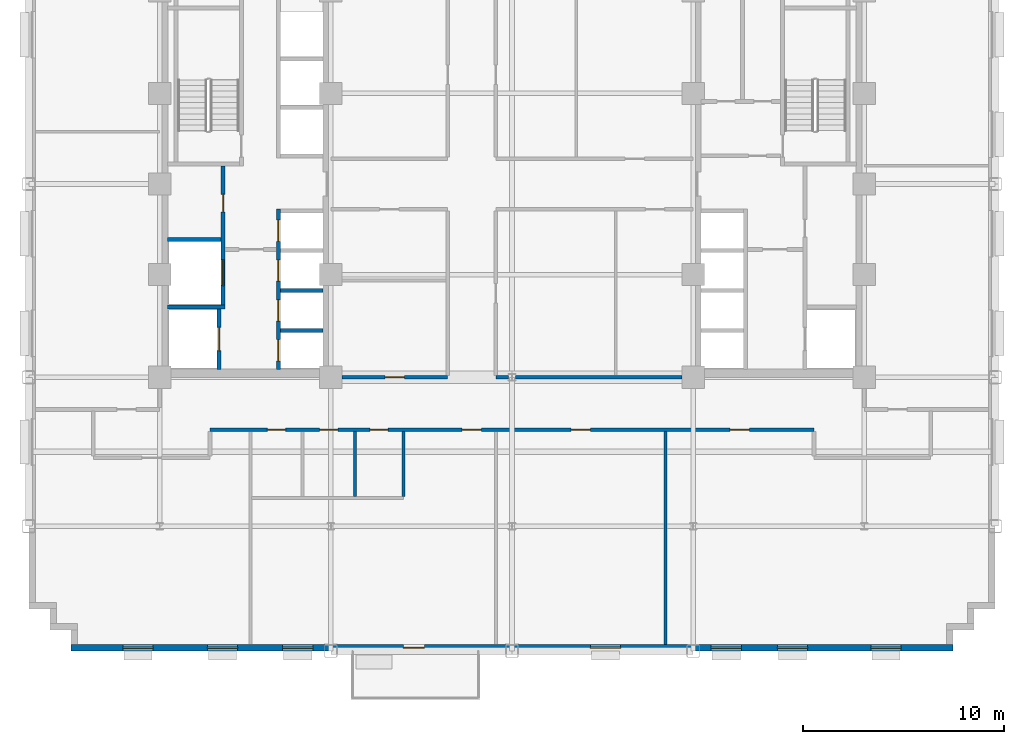
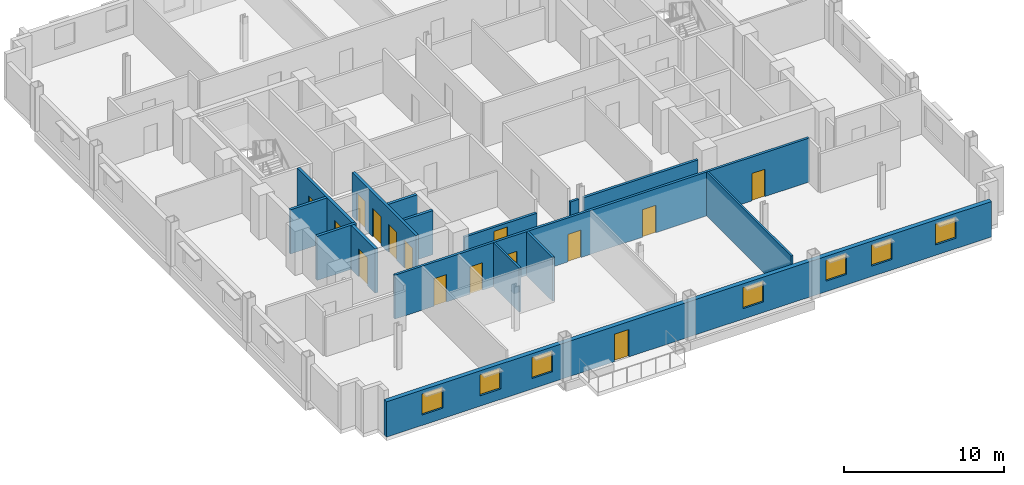
# One storey, part 6 of 14: 15 doors, 15 walls, 7 windows, 22 openings.
"""IFC4 building model written with IfcOpenShell, lengths in metres."""

import ifcopenshell
import ifcopenshell.guid

model = None  # the IFC model being written
_history = None  # IfcOwnerHistory: only IFC2X3 demands one
_inside = {}  # id of a spatial element -> (the spatial element, [elements in it])
_under = {}  # id of a project, library or spatial element -> (it, [spatial elements below it])
_declared = {}  # id of a project -> (the project, [libraries it declares])
_typed = {}  # id of a type object -> (the type object, [elements of that type])
_made_of = {}  # id of a material, layer set ... -> (it, [elements and type objects made of it])


def new_model(schema):
    """Start an empty IFC model of exactly this schema.

    Asked for "IFC4X3", IfcOpenShell would pick the latest addendum, in which some entities
    have other attributes; the version numbers below select the first issue.
    IFC2X3 requires an IfcOwnerHistory on every rooted entity: one is made here for all.
    """
    global model, _history
    if schema == "IFC4X3":
        model = ifcopenshell.file(schema_version=(4, 3, 0, 0))
    else:
        model = ifcopenshell.file(schema=schema)
    _inside.clear()
    _under.clear()
    _declared.clear()
    _typed.clear()
    _made_of.clear()
    _history = None
    if model.schema == "IFC2X3":
        org = make("IfcOrganization", Name="unknown")
        user = make(
            "IfcPersonAndOrganization",
            ThePerson=make("IfcPerson", FamilyName="unknown"),
            TheOrganization=org,
        )
        app = make(
            "IfcApplication",
            ApplicationDeveloper=org,
            Version="unknown",
            ApplicationFullName="unknown",
            ApplicationIdentifier="unknown",
        )
        _history = make(
            "IfcOwnerHistory",
            OwningUser=user,
            OwningApplication=app,
            ChangeAction="ADDED",
            CreationDate=0,
        )
    return model


def make(cls, **values):
    """One entity of the class cls with the attributes given. An attribute that is None is left unset."""
    return model.create_entity(
        cls, **{name: value for name, value in values.items() if value is not None}
    )


def rooted(cls, **values):
    """An entity with a GlobalId (a new one), such as an element, a storey or a relation."""
    return make(cls, GlobalId=ifcopenshell.guid.new(), OwnerHistory=_history, **values)


def si_unit(unit_type, name, prefix=None):
    """IfcSIUnit, for example si_unit("LENGTHUNIT", "METRE", prefix="MILLI")."""
    return make("IfcSIUnit", UnitType=unit_type, Prefix=prefix, Name=name)


def assignment(units):
    """IfcUnitAssignment: the units of a project."""
    return None if units is None else make("IfcUnitAssignment", Units=units)


def point(xyz):
    """IfcCartesianPoint."""
    return None if xyz is None else make("IfcCartesianPoint", Coordinates=xyz)


def direction(xyz):
    """IfcDirection."""
    return None if xyz is None else make("IfcDirection", DirectionRatios=xyz)


def frame(location, z_axis=None, x_axis=None):
    """IfcAxis2Placement3D, a coordinate frame: its origin and axes. An axis left out is left unset."""
    return make(
        "IfcAxis2Placement3D",
        Location=point(location),
        Axis=direction(z_axis),
        RefDirection=direction(x_axis),
    )


def frame_2d(location, x_axis=None):
    """IfcAxis2Placement2D, a coordinate frame in the plane: its origin and x axis."""
    return make(
        "IfcAxis2Placement2D", Location=point(location), RefDirection=direction(x_axis)
    )


def origin():
    """The frame at (0, 0, 0) with its axes left unset."""
    return frame((0.0, 0.0, 0.0))


def place(relative_to, where):
    """IfcLocalPlacement: puts the frame where relative to a parent placement (None: the world)."""
    return make(
        "IfcLocalPlacement", PlacementRelTo=relative_to, RelativePlacement=where
    )


def context(
    kind, dimensions, precision=None, world=None, true_north=None, identifier=None
):
    """IfcGeometricRepresentationContext, for example the 3D "Model" context."""
    return make(
        "IfcGeometricRepresentationContext",
        ContextIdentifier=identifier,
        ContextType=kind,
        CoordinateSpaceDimension=dimensions,
        Precision=precision,
        WorldCoordinateSystem=world,
        TrueNorth=true_north,
    )


def subcontext(parent, identifier, kind, view, scale=None):
    """IfcGeometricRepresentationSubContext, for example "Body" below "Model"."""
    return make(
        "IfcGeometricRepresentationSubContext",
        ContextIdentifier=identifier,
        ContextType=kind,
        ParentContext=parent,
        TargetScale=scale,
        TargetView=view,
    )


def project(units=None, contexts=None):
    """IfcProject with its units and contexts."""
    return rooted(
        "IfcProject",
        Name="project",
        RepresentationContexts=contexts,
        UnitsInContext=assignment(units),
    )


def spatial(cls, under=None, at=None, **own):
    """A site, building, storey or space (cls), placed at a placement, below another one or the project."""
    s = rooted(cls, ObjectPlacement=at, **own)
    if under is not None:
        _under.setdefault(under.id(), (under, []))[1].append(s)
    return s


def profile(cls, at=None, kind="AREA", **sizes):
    """A parametric profile (cls). Its sizes go by their IFC names, for example OverallWidth=200.0."""
    return make(cls, ProfileType=kind, Position=at, **sizes)


def rectangle(**sizes):
    """IfcRectangleProfileDef."""
    return profile("IfcRectangleProfileDef", **sizes)


def extrude(swept, where, along, depth):
    """IfcExtrudedAreaSolid: the profile swept, set in the frame where, extruded along a direction by depth."""
    return make(
        "IfcExtrudedAreaSolid",
        SweptArea=swept,
        Position=where,
        ExtrudedDirection=direction(along),
        Depth=depth,
    )


def shape(context_of_items, identifier, shape_type, items):
    """IfcShapeRepresentation: the items that make up one representation, for example the "Body"."""
    return make(
        "IfcShapeRepresentation",
        ContextOfItems=context_of_items,
        RepresentationIdentifier=identifier,
        RepresentationType=shape_type,
        Items=items,
    )


def source(mapping_origin, context_of_items, identifier, shape_type, items):
    """IfcRepresentationMap: a shape defined once, which mapped items show again and again."""
    return make(
        "IfcRepresentationMap",
        MappingOrigin=mapping_origin,
        MappedRepresentation=shape(context_of_items, identifier, shape_type, items),
    )


def transform(
    local_origin,
    x_axis=None,
    y_axis=None,
    z_axis=None,
    scale=None,
    scale2=None,
    scale3=None,
    uniform=True,
):
    """IfcCartesianTransformationOperator3D, or its non-uniform kind. x_axis, y_axis, z_axis: its Axis1, 2, 3."""
    if uniform:
        return make(
            "IfcCartesianTransformationOperator3D",
            Axis1=direction(x_axis),
            Axis2=direction(y_axis),
            LocalOrigin=point(local_origin),
            Scale=scale,
            Axis3=direction(z_axis),
        )
    return make(
        "IfcCartesianTransformationOperator3DnonUniform",
        Axis1=direction(x_axis),
        Axis2=direction(y_axis),
        LocalOrigin=point(local_origin),
        Scale=scale,
        Axis3=direction(z_axis),
        Scale2=scale2,
        Scale3=scale3,
    )


def mapped(mapping_source, mapping_target):
    """IfcMappedItem: shows the shape of a source again, moved by a transform."""
    return make(
        "IfcMappedItem", MappingSource=mapping_source, MappingTarget=mapping_target
    )


def material(Name=None, Category=None):
    """IfcMaterial."""
    return make("IfcMaterial", Name=Name, Category=Category)


def layer(
    of_material, thickness, ventilated=None, Name=None, Category=None, Priority=None
):
    """IfcMaterialLayer: one layer of a wall or slab, of a material (None: an air gap)."""
    return make(
        "IfcMaterialLayer",
        Material=of_material,
        LayerThickness=thickness,
        IsVentilated=ventilated,
        Name=Name,
        Category=Category,
        Priority=Priority,
    )


def layer_set(layers, Name=None):
    """IfcMaterialLayerSet."""
    return make("IfcMaterialLayerSet", MaterialLayers=layers, LayerSetName=Name)


def made_of(thing, what):
    """Note that an element or type object is made of a material, layer set ...; save() writes the relation."""
    if what is not None:
        _made_of.setdefault(what.id(), (what, []))[1].append(thing)
    return thing


def type_object(cls, material=None, **own):
    """A type object (cls), such as IfcWallType, which elements share."""
    return made_of(rooted(cls, **own), material)


def type_shapes(of_type, sources):
    """Give a type object the sources (RepresentationMaps) that its elements show as mapped items."""
    of_type.RepresentationMaps = sources


def element(
    cls,
    number,
    at=None,
    inside=None,
    cuts=None,
    type_object=None,
    material=None,
    context=None,
    identifier="Body",
    shape_type=None,
    held_by="IfcProductDefinitionShape",
    body=None,
    shapes=None,
    **own,
):
    """One element of the class cls, such as IfcWall. Its Tag is "e" and its number.

    at: its placement. inside: the storey or other place that contains it. cuts: it is an
    opening in that element (IfcRelVoidsElement). A single representation is given by context,
    identifier, shape_type and body (its items); several are given by shapes. held_by: the class
    of the entity that holds the representations. save() writes the other relations.
    """
    e = rooted(cls, Tag="e%d" % number, ObjectPlacement=at, **own)
    if body is not None:
        shapes = [shape(context, identifier, shape_type, body)]
    if shapes is not None:
        e.Representation = make(held_by, Representations=shapes)
    if inside is not None:
        _inside.setdefault(inside.id(), (inside, []))[1].append(e)
    if cuts is not None:
        rooted(
            "IfcRelVoidsElement", RelatingBuildingElement=cuts, RelatedOpeningElement=e
        )
    if type_object is not None:
        _typed.setdefault(type_object.id(), (type_object, []))[1].append(e)
    return made_of(e, material)


def fill(opening, filler):
    """IfcRelFillsElement: the door or window that sits in an opening."""
    return rooted(
        "IfcRelFillsElement",
        RelatingOpeningElement=opening,
        RelatedBuildingElement=filler,
    )


def aggregate(whole, parts):
    """IfcRelAggregates: a whole, such as a stair, and the parts it consists of."""
    return rooted("IfcRelAggregates", RelatingObject=whole, RelatedObjects=parts)


def save(model, path):
    """Write the relations noted so far, then the file.

    IfcRelAggregates (storeys below a building ...), IfcRelContainedInSpatialStructure (elements
    in a storey), IfcRelDefinesByType, IfcRelAssociatesMaterial and IfcRelDeclares: one each for
    every whole, place, type object, material and project.
    """
    for whole, parts in _under.values():
        aggregate(whole, parts)
    for where, things in _inside.values():
        rooted(
            "IfcRelContainedInSpatialStructure",
            RelatedElements=things,
            RelatingStructure=where,
        )
    for kind, things in _typed.values():
        rooted("IfcRelDefinesByType", RelatedObjects=things, RelatingType=kind)
    for what, things in _made_of.values():
        rooted("IfcRelAssociatesMaterial", RelatedObjects=things, RelatingMaterial=what)
    for by, libraries in _declared.values():
        rooted("IfcRelDeclares", RelatingContext=by, RelatedDefinitions=libraries)
    model.write(path)


model = new_model("IFC4")

# Units and contexts
model_context = context("Model", 3, precision=1e-05, world=origin(), true_north=direction((0.0, 1.0)))
body_context = subcontext(model_context, "Body", "Model", "MODEL_VIEW")
ifc_project = project(units=[si_unit("LENGTHUNIT", "METRE"), si_unit("AREAUNIT", "SQUARE_METRE"), si_unit("VOLUMEUNIT", "CUBIC_METRE"), si_unit("PLANEANGLEUNIT", "RADIAN"), si_unit("MASSUNIT", "GRAM", prefix="KILO")], contexts=[model_context])

# Site, building, storey
site_placement = place(None, origin())
site = spatial("IfcSite", under=ifc_project, at=site_placement, CompositionType="ELEMENT")
building_placement = place(site_placement, origin())
building = spatial("IfcBuilding", under=site, at=building_placement, Name="Nuvemarco Arch Tower", CompositionType="ELEMENT")
storey_placement = place(building_placement, frame((0.0, 0.0, 109.25)))
storey = spatial("IfcBuildingStorey", under=building, at=storey_placement, Name="L28", CompositionType="ELEMENT", Elevation=109.25)

# Wall, openings, door, windows
ifc_material_1 = material(Name="Precast concrete C45/55", Category="concrete")
ifc_layer_1 = layer(ifc_material_1, 0.320068359375, Name="EW-MID-320")
ifc_layer_set_1 = layer_set([ifc_layer_1], Name="Precast concrete C45/55")
wall_type_1 = type_object("IfcWallType", Name="EW-MID-320", PredefinedType="STANDARD", material=ifc_layer_set_1)
wall_1_placement = place(storey_placement, frame((-21.89990234375, -23.0400390625, 0.0), z_axis=(0.0, 0.0, 1.0), x_axis=(1.0, 0.0, 0.0)))
wall_1 = element("IfcWall", 1, at=wall_1_placement, inside=storey, type_object=wall_type_1, Name="L28 exterior precast facade wall 1", PredefinedType="STANDARD", context=body_context, shape_type="SweptSolid", body=[
    extrude(rectangle(XDim=43.7998046875, YDim=0.320068359375, at=frame_2d((21.89990234375, 0.0))), origin(), (0.0, 0.0, 1.0), 2.705078125),
])
opening_1_placement = place(wall_1_placement, frame((17.550048828125, 0.0, 0.0), z_axis=(0.0, 0.0, 1.0), x_axis=(-1.0, 0.0, 0.0)))
opening_1 = element("IfcOpeningElement", 2, at=opening_1_placement, cuts=wall_1, Name="Opening ED-5", PredefinedType="OPENING", context=body_context, shape_type="SweptSolid", body=[
    extrude(rectangle(XDim=1.050048828125, YDim=2.10009765625, at=frame_2d((0.52490234375, 1.050048828125))), frame((0.0, 0.169921875, 0.0), z_axis=(0.0, -1.0, 0.0), x_axis=(1.0, 0.0, 0.0)), (0.0, 0.0, 1.0), 0.340087890625),
])
opening_2_placement = place(wall_1_placement, frame((2.572265625, 0.0, 0.800048828125)))
opening_2 = element("IfcOpeningElement", 3, at=opening_2_placement, cuts=wall_1, Name="Opening WN-11", PredefinedType="OPENING", context=body_context, shape_type="SweptSolid", body=[
    extrude(rectangle(XDim=1.5, YDim=1.60009765625, at=frame_2d((0.75, 0.800048828125))), frame((0.0, 0.169921875, 0.0), z_axis=(0.0, -1.0, 0.0), x_axis=(1.0, 0.0, 0.0)), (0.0, 0.0, 1.0), 0.340087890625),
])
opening_3_placement = place(wall_1_placement, frame((6.7666015625, 0.0, 0.800048828125)))
opening_3 = element("IfcOpeningElement", 4, at=opening_3_placement, cuts=wall_1, Name="Opening WN-11", PredefinedType="OPENING", context=body_context, shape_type="SweptSolid", body=[
    extrude(rectangle(XDim=1.5, YDim=1.60009765625, at=frame_2d((0.75, 0.800048828125))), frame((0.0, 0.169921875, 0.0), z_axis=(0.0, -1.0, 0.0), x_axis=(1.0, 0.0, 0.0)), (0.0, 0.0, 1.0), 0.340087890625),
])
opening_4_placement = place(wall_1_placement, frame((10.510986328125, 0.0, 0.800048828125)))
opening_4 = element("IfcOpeningElement", 5, at=opening_4_placement, cuts=wall_1, Name="Opening WN-11", PredefinedType="OPENING", context=body_context, shape_type="SweptSolid", body=[
    extrude(rectangle(XDim=1.5, YDim=1.60009765625, at=frame_2d((0.75, 0.800048828125))), frame((0.0, 0.169921875, 0.0), z_axis=(0.0, -1.0, 0.0), x_axis=(1.0, 0.0, 0.0)), (0.0, 0.0, 1.0), 0.340087890625),
])
opening_5_placement = place(wall_1_placement, frame((25.79443359375, 0.0, 0.800048828125)))
opening_5 = element("IfcOpeningElement", 6, at=opening_5_placement, cuts=wall_1, Name="Opening WN-11", PredefinedType="OPENING", context=body_context, shape_type="SweptSolid", body=[
    extrude(rectangle(XDim=1.5, YDim=1.60009765625, at=frame_2d((0.75, 0.800048828125))), frame((0.0, 0.169921875, 0.0), z_axis=(0.0, -1.0, 0.0), x_axis=(1.0, 0.0, 0.0)), (0.0, 0.0, 1.0), 0.340087890625),
])
opening_6_placement = place(wall_1_placement, frame((31.788818359375, 0.0, 0.800048828125)))
opening_6 = element("IfcOpeningElement", 7, at=opening_6_placement, cuts=wall_1, Name="Opening WN-11", PredefinedType="OPENING", context=body_context, shape_type="SweptSolid", body=[
    extrude(rectangle(XDim=1.5, YDim=1.60009765625, at=frame_2d((0.75, 0.800048828125))), frame((0.0, 0.169921875, 0.0), z_axis=(0.0, -1.0, 0.0), x_axis=(1.0, 0.0, 0.0)), (0.0, 0.0, 1.0), 0.340087890625),
])
opening_7_placement = place(wall_1_placement, frame((35.083251953125, 0.0, 0.800048828125)))
opening_7 = element("IfcOpeningElement", 8, at=opening_7_placement, cuts=wall_1, Name="Opening WN-11", PredefinedType="OPENING", context=body_context, shape_type="SweptSolid", body=[
    extrude(rectangle(XDim=1.5, YDim=1.60009765625, at=frame_2d((0.75, 0.800048828125))), frame((0.0, 0.169921875, 0.0), z_axis=(0.0, -1.0, 0.0), x_axis=(1.0, 0.0, 0.0)), (0.0, 0.0, 1.0), 0.340087890625),
])
opening_8_placement = place(wall_1_placement, frame((39.727783203125, 0.0, 0.800048828125)))
opening_8 = element("IfcOpeningElement", 9, at=opening_8_placement, cuts=wall_1, Name="Opening WN-11", PredefinedType="OPENING", context=body_context, shape_type="SweptSolid", body=[
    extrude(rectangle(XDim=1.5, YDim=1.60009765625, at=frame_2d((0.75, 0.800048828125))), frame((0.0, 0.169921875, 0.0), z_axis=(0.0, -1.0, 0.0), x_axis=(1.0, 0.0, 0.0)), (0.0, 0.0, 1.0), 0.340087890625),
])
ifc_material_2 = material(Name="Anodised bronze and laminated glass", Category="glass")
door_type_1 = type_object("IfcDoorType", Name="DR-EXT-TERR", OperationType="NOTDEFINED", PredefinedType="DOOR", material=ifc_material_2)
shared_shape_1 = source(origin(), body_context, "Body", "SweptSolid", [
    extrude(rectangle(XDim=1.050048828125, YDim=2.10009765625, at=frame_2d((0.52490234375, 1.050048828125))), frame((0.0, 0.02490234375, 0.0), z_axis=(0.0, -1.0, 0.0), x_axis=(1.0, 0.0, 0.0)), (0.0, 0.0, 1.0), 0.050048828125),
])
type_shapes(door_type_1, [shared_shape_1])
door_1_placement = place(opening_1_placement, origin())
door_1 = element("IfcDoor", 10, at=door_1_placement, inside=storey, type_object=door_type_1, Name="L28 spiral terrace access door", OperationType="SINGLE_SWING_LEFT", OverallHeight=2.10009765625, OverallWidth=1.050048828125, PredefinedType="DOOR", context=body_context, shape_type="MappedRepresentation", body=[
    mapped(shared_shape_1, transform((0.0, 0.0, 0.0), scale=1.0)),
])
fill(opening_1, door_1)
ifc_material_3 = material(Name="Insulated solar-control glass", Category="glass")
window_type = type_object("IfcWindowType", Name="WN-STEP-1500x1850", PartitioningType="SINGLE_PANEL", PredefinedType="WINDOW", material=ifc_material_3)
shared_shape_2 = source(origin(), body_context, "Body", "SweptSolid", [
    extrude(rectangle(XDim=1.5, YDim=1.60009765625, at=frame_2d((0.75, 0.800048828125))), frame((0.0, 0.030029296875, 0.0), z_axis=(0.0, -1.0, 0.0), x_axis=(1.0, 0.0, 0.0)), (0.0, 0.0, 1.0), 0.06005859375),
])
type_shapes(window_type, [shared_shape_2])
window_1_placement = place(opening_2_placement, origin())
window_1 = element("IfcWindow", 11, at=window_1_placement, inside=storey, type_object=window_type, Name="L28 punched facade window 1", OverallHeight=1.60009765625, OverallWidth=1.5, PartitioningType="SINGLE_PANEL", PredefinedType="WINDOW", context=body_context, shape_type="MappedRepresentation", body=[
    mapped(shared_shape_2, transform((0.0, 0.0, 0.0), scale=1.0)),
])
fill(opening_2, window_1)
window_2_placement = place(opening_3_placement, origin())
window_2 = element("IfcWindow", 12, at=window_2_placement, inside=storey, type_object=window_type, Name="L28 punched facade window 2", OverallHeight=1.60009765625, OverallWidth=1.5, PartitioningType="SINGLE_PANEL", PredefinedType="WINDOW", context=body_context, shape_type="MappedRepresentation", body=[
    mapped(shared_shape_2, transform((0.0, 0.0, 0.0), scale=1.0)),
])
fill(opening_3, window_2)
window_3_placement = place(opening_4_placement, origin())
window_3 = element("IfcWindow", 13, at=window_3_placement, inside=storey, type_object=window_type, Name="L28 punched facade window 3", OverallHeight=1.60009765625, OverallWidth=1.5, PartitioningType="SINGLE_PANEL", PredefinedType="WINDOW", context=body_context, shape_type="MappedRepresentation", body=[
    mapped(shared_shape_2, transform((0.0, 0.0, 0.0), scale=1.0)),
])
fill(opening_4, window_3)
window_4_placement = place(opening_5_placement, origin())
window_4 = element("IfcWindow", 14, at=window_4_placement, inside=storey, type_object=window_type, Name="L28 punched facade window 6", OverallHeight=1.60009765625, OverallWidth=1.5, PartitioningType="SINGLE_PANEL", PredefinedType="WINDOW", context=body_context, shape_type="MappedRepresentation", body=[
    mapped(shared_shape_2, transform((0.0, 0.0, 0.0), scale=1.0)),
])
fill(opening_5, window_4)
window_5_placement = place(opening_6_placement, origin())
window_5 = element("IfcWindow", 15, at=window_5_placement, inside=storey, type_object=window_type, Name="L28 punched facade window 7", OverallHeight=1.60009765625, OverallWidth=1.5, PartitioningType="SINGLE_PANEL", PredefinedType="WINDOW", context=body_context, shape_type="MappedRepresentation", body=[
    mapped(shared_shape_2, transform((0.0, 0.0, 0.0), scale=1.0)),
])
fill(opening_6, window_5)
window_6_placement = place(opening_7_placement, origin())
window_6 = element("IfcWindow", 16, at=window_6_placement, inside=storey, type_object=window_type, Name="L28 punched facade window 8", OverallHeight=1.60009765625, OverallWidth=1.5, PartitioningType="SINGLE_PANEL", PredefinedType="WINDOW", context=body_context, shape_type="MappedRepresentation", body=[
    mapped(shared_shape_2, transform((0.0, 0.0, 0.0), scale=1.0)),
])
fill(opening_7, window_6)
window_7_placement = place(opening_8_placement, origin())
window_7 = element("IfcWindow", 17, at=window_7_placement, inside=storey, type_object=window_type, Name="L28 punched facade window 9", OverallHeight=1.60009765625, OverallWidth=1.5, PartitioningType="SINGLE_PANEL", PredefinedType="WINDOW", context=body_context, shape_type="MappedRepresentation", body=[
    mapped(shared_shape_2, transform((0.0, 0.0, 0.0), scale=1.0)),
])
fill(opening_8, window_7)

# Wall, openings, doors
ifc_material_4 = material(Name="Fire-rated gypsum drywall partition")
ifc_layer_2 = layer(ifc_material_4, 0.179931640625, Name="WL-CORR-180")
ifc_layer_set_2 = layer_set([ifc_layer_2], Name="Fire-rated gypsum drywall partition")
wall_type_2 = type_object("IfcWallType", Name="WL-CORR-180", PredefinedType="PARTITIONING", material=ifc_layer_set_2)
wall_2_placement = place(storey_placement, frame((-15.0, -12.199951171875, 0.0), z_axis=(0.0, 0.0, 1.0), x_axis=(1.0, 0.0, 0.0)))
wall_2 = element("IfcWall", 18, at=wall_2_placement, inside=storey, type_object=wall_type_2, Name="L28 interior wall IW-L28-004", PredefinedType="PARTITIONING", context=body_context, shape_type="SweptSolid", body=[
    extrude(rectangle(XDim=30.0, YDim=0.179931640625, at=frame_2d((15.0, 0.0))), origin(), (0.0, 0.0, 1.0), 3.360107421875),
])
opening_9_placement = place(wall_2_placement, frame((17.93505859375, 0.0, 0.0)))
opening_9 = element("IfcOpeningElement", 19, at=opening_9_placement, cuts=wall_2, Name="Opening FD-5", PredefinedType="OPENING", context=body_context, shape_type="SweptSolid", body=[
    extrude(rectangle(XDim=0.9599609375, YDim=2.10009765625, at=frame_2d((0.47998046875, 1.050048828125))), frame((0.0, 0.099853515625, 0.0), z_axis=(0.0, -1.0, 0.0), x_axis=(1.0, 0.0, 0.0)), (0.0, 0.0, 1.0), 0.199951171875),
])
opening_10_placement = place(wall_2_placement, frame((25.8349609375, 0.0, 0.0)))
opening_10 = element("IfcOpeningElement", 20, at=opening_10_placement, cuts=wall_2, Name="Opening FD-5", PredefinedType="OPENING", context=body_context, shape_type="SweptSolid", body=[
    extrude(rectangle(XDim=0.9599609375, YDim=2.10009765625, at=frame_2d((0.47998046875, 1.050048828125))), frame((0.0, 0.099853515625, 0.0), z_axis=(0.0, -1.0, 0.0), x_axis=(1.0, 0.0, 0.0)), (0.0, 0.0, 1.0), 0.199951171875),
])
opening_11_placement = place(wall_2_placement, frame((5.449951171875, 0.0, 0.0)))
opening_11 = element("IfcOpeningElement", 21, at=opening_11_placement, cuts=wall_2, Name="Opening ID-3", PredefinedType="OPENING", context=body_context, shape_type="SweptSolid", body=[
    extrude(rectangle(XDim=0.89990234375, YDim=2.10009765625, at=frame_2d((0.449951171875, 1.050048828125))), frame((0.0, 0.099853515625, 0.0), z_axis=(0.0, -1.0, 0.0), x_axis=(1.0, 0.0, 0.0)), (0.0, 0.0, 1.0), 0.199951171875),
])
opening_12_placement = place(wall_2_placement, frame((2.85009765625, 0.0, 0.0)))
opening_12 = element("IfcOpeningElement", 22, at=opening_12_placement, cuts=wall_2, Name="Opening ID-3", PredefinedType="OPENING", context=body_context, shape_type="SweptSolid", body=[
    extrude(rectangle(XDim=0.89990234375, YDim=2.10009765625, at=frame_2d((0.449951171875, 1.050048828125))), frame((0.0, 0.099853515625, 0.0), z_axis=(0.0, -1.0, 0.0), x_axis=(1.0, 0.0, 0.0)), (0.0, 0.0, 1.0), 0.199951171875),
])
opening_13_placement = place(wall_2_placement, frame((12.52001953125, 0.0, 0.0)))
opening_13 = element("IfcOpeningElement", 23, at=opening_13_placement, cuts=wall_2, Name="Opening FD-5", PredefinedType="OPENING", context=body_context, shape_type="SweptSolid", body=[
    extrude(rectangle(XDim=0.9599609375, YDim=2.10009765625, at=frame_2d((0.47998046875, 1.050048828125))), frame((0.0, 0.099853515625, 0.0), z_axis=(0.0, -1.0, 0.0), x_axis=(1.0, 0.0, 0.0)), (0.0, 0.0, 1.0), 0.199951171875),
])
opening_14_placement = place(wall_2_placement, frame((7.949951171875, 0.0, 0.0)))
opening_14 = element("IfcOpeningElement", 24, at=opening_14_placement, cuts=wall_2, Name="Opening ID-3", PredefinedType="OPENING", context=body_context, shape_type="SweptSolid", body=[
    extrude(rectangle(XDim=0.89990234375, YDim=2.10009765625, at=frame_2d((0.449951171875, 1.050048828125))), frame((0.0, 0.099853515625, 0.0), z_axis=(0.0, -1.0, 0.0), x_axis=(1.0, 0.0, 0.0)), (0.0, 0.0, 1.0), 0.199951171875),
])
ifc_material_5 = material(Name="Timber fire door", Category="wood")
door_type_2 = type_object("IfcDoorType", Name="DR-CORR-FD", OperationType="NOTDEFINED", PredefinedType="DOOR", material=ifc_material_5)
shared_shape_3 = source(origin(), body_context, "Body", "SweptSolid", [
    extrude(rectangle(XDim=0.9599609375, YDim=2.10009765625, at=frame_2d((0.47998046875, 1.050048828125))), frame((0.0, 0.02490234375, 0.0), z_axis=(0.0, -1.0, 0.0), x_axis=(1.0, 0.0, 0.0)), (0.0, 0.0, 1.0), 0.050048828125),
])
type_shapes(door_type_2, [shared_shape_3])
door_2_placement = place(opening_9_placement, origin())
door_2 = element("IfcDoor", 25, at=door_2_placement, inside=storey, type_object=door_type_2, Name="L28 door DR-L28-S_3", OperationType="SINGLE_SWING_RIGHT", OverallHeight=2.10009765625, OverallWidth=0.9599609375, PredefinedType="DOOR", context=body_context, shape_type="MappedRepresentation", body=[
    mapped(shared_shape_3, transform((0.0, 0.0, 0.0), scale=1.0)),
])
fill(opening_9, door_2)
door_3_placement = place(opening_10_placement, origin())
door_3 = element("IfcDoor", 26, at=door_3_placement, inside=storey, type_object=door_type_2, Name="L28 door DR-L28-S_4", OperationType="SINGLE_SWING_LEFT", OverallHeight=2.10009765625, OverallWidth=0.9599609375, PredefinedType="DOOR", context=body_context, shape_type="MappedRepresentation", body=[
    mapped(shared_shape_3, transform((0.0, 0.0, 0.0), scale=1.0)),
])
fill(opening_10, door_3)
door_4_placement = place(opening_13_placement, origin())
door_4 = element("IfcDoor", 27, at=door_4_placement, inside=storey, type_object=door_type_2, Name="L28 door DR-L28-S_2", OperationType="SINGLE_SWING_LEFT", OverallHeight=2.10009765625, OverallWidth=0.9599609375, PredefinedType="DOOR", context=body_context, shape_type="MappedRepresentation", body=[
    mapped(shared_shape_3, transform((0.0, 0.0, 0.0), scale=1.0)),
])
fill(opening_13, door_4)
ifc_material_6 = material(Name="Veneered oak timber fire door", Category="wood")
door_type_3 = type_object("IfcDoorType", Name="DR-WC-ACC", OperationType="NOTDEFINED", PredefinedType="DOOR", material=ifc_material_6)
shared_shape_4 = source(origin(), body_context, "Body", "SweptSolid", [
    extrude(rectangle(XDim=0.89990234375, YDim=2.10009765625, at=frame_2d((0.449951171875, 1.050048828125))), frame((0.0, 0.02490234375, 0.0), z_axis=(0.0, -1.0, 0.0), x_axis=(1.0, 0.0, 0.0)), (0.0, 0.0, 1.0), 0.050048828125),
])
type_shapes(door_type_3, [shared_shape_4])
door_5_placement = place(opening_11_placement, origin())
door_5 = element("IfcDoor", 28, at=door_5_placement, inside=storey, type_object=door_type_3, Name="L28 door DR-L28-WC_F", OperationType="SINGLE_SWING_RIGHT", OverallHeight=2.10009765625, OverallWidth=0.89990234375, PredefinedType="DOOR", context=body_context, shape_type="MappedRepresentation", body=[
    mapped(shared_shape_4, transform((0.0, 0.0, 0.0), scale=1.0)),
])
fill(opening_11, door_5)
door_6_placement = place(opening_12_placement, origin())
door_6 = element("IfcDoor", 29, at=door_6_placement, inside=storey, type_object=door_type_3, Name="L28 door DR-L28-WC_M", OperationType="SINGLE_SWING_LEFT", OverallHeight=2.10009765625, OverallWidth=0.89990234375, PredefinedType="DOOR", context=body_context, shape_type="MappedRepresentation", body=[
    mapped(shared_shape_4, transform((0.0, 0.0, 0.0), scale=1.0)),
])
fill(opening_12, door_6)
door_7_placement = place(opening_14_placement, origin())
door_7 = element("IfcDoor", 30, at=door_7_placement, inside=storey, type_object=door_type_3, Name="L28 door DR-L28-WC_ACC", OperationType="SINGLE_SWING_RIGHT", OverallHeight=2.10009765625, OverallWidth=0.89990234375, PredefinedType="DOOR", context=body_context, shape_type="MappedRepresentation", body=[
    mapped(shared_shape_4, transform((0.0, 0.0, 0.0), scale=1.0)),
])
fill(opening_14, door_7)

# Wall, opening, door
wall_3_placement = place(storey_placement, frame((-8.4541015625, -9.60009765625, 0.0), z_axis=(0.0, 0.0, 1.0), x_axis=(1.0, 0.0, 0.0)))
wall_3 = element("IfcWall", 31, at=wall_3_placement, inside=storey, type_object=wall_type_2, Name="L28 interior wall IW-L28-007", PredefinedType="PARTITIONING", context=body_context, shape_type="SweptSolid", body=[
    extrude(rectangle(XDim=5.254150390625, YDim=0.179931640625, at=frame_2d((2.626953125, 0.0))), origin(), (0.0, 0.0, 1.0), 2.405029296875),
])
opening_15_placement = place(wall_3_placement, frame((2.14697265625, 0.0, 0.0)))
opening_15 = element("IfcOpeningElement", 32, at=opening_15_placement, cuts=wall_3, Name="Opening FD-5", PredefinedType="OPENING", context=body_context, shape_type="SweptSolid", body=[
    extrude(rectangle(XDim=0.9599609375, YDim=2.10009765625, at=frame_2d((0.47998046875, 1.050048828125))), frame((0.0, 0.099853515625, 0.0), z_axis=(0.0, -1.0, 0.0), x_axis=(1.0, 0.0, 0.0)), (0.0, 0.0, 1.0), 0.199951171875),
])
door_8_placement = place(opening_15_placement, origin())
door_8 = element("IfcDoor", 33, at=door_8_placement, inside=storey, type_object=door_type_2, Name="L28 door DR-L28-C_SW2", OperationType="SINGLE_SWING_LEFT", OverallHeight=2.10009765625, OverallWidth=0.9599609375, PredefinedType="DOOR", context=body_context, shape_type="MappedRepresentation", body=[
    mapped(shared_shape_3, transform((0.0, 0.0, 0.0), scale=1.0)),
])
fill(opening_15, door_8)

# Walls
wall_4_placement = place(storey_placement, frame((-0.800048828125, -9.60009765625, 0.0), z_axis=(0.0, 0.0, 1.0), x_axis=(1.0, 0.0, 0.0)))
element("IfcWall", 34, at=wall_4_placement, inside=storey, type_object=wall_type_2, Name="L28 interior wall IW-L28-008", PredefinedType="PARTITIONING", context=body_context, shape_type="SweptSolid", body=[
    extrude(rectangle(XDim=0.6240234375, YDim=0.179931640625, at=frame_2d((0.31201171875, 0.0))), origin(), (0.0, 0.0, 1.0), 2.405029296875),
])
wall_5_placement = place(storey_placement, frame((0.176025390625, -9.60009765625, 0.0), z_axis=(0.0, 0.0, 1.0), x_axis=(1.0, 0.0, 0.0)))
element("IfcWall", 35, at=wall_5_placement, inside=storey, type_object=wall_type_2, Name="L28 interior wall IW-L28-009", PredefinedType="PARTITIONING", context=body_context, shape_type="SweptSolid", body=[
    extrude(rectangle(XDim=8.278076171875, YDim=0.179931640625, at=frame_2d((4.13916015625, 0.0))), origin(), (0.0, 0.0, 1.0), 2.405029296875),
])
ifc_material_7 = material(Name="Gypsum plasterboard partition")
ifc_layer_3 = layer(ifc_material_7, 0.139892578125, Name="WL-ROOM-140")
ifc_layer_set_3 = layer_set([ifc_layer_3], Name="Gypsum plasterboard partition")
wall_type_3 = type_object("IfcWallType", Name="WL-ROOM-140", PredefinedType="PARTITIONING", material=ifc_layer_set_3)
wall_6_placement = place(storey_placement, frame((7.6298828125, -22.8798828125, 0.0), z_axis=(0.0, 0.0, 1.0), x_axis=(0.0, 1.0, 0.0)))
element("IfcWall", 36, at=wall_6_placement, inside=storey, type_object=wall_type_3, Name="L28 interior wall IW-L28-046", PredefinedType="PARTITIONING", context=body_context, shape_type="SweptSolid", body=[
    extrude(rectangle(XDim=10.593994140625, YDim=0.139892578125, at=frame_2d((5.296875, 0.0))), origin(), (0.0, 0.0, 1.0), 3.360107421875),
])

# Wall, opening, door
ifc_material_8 = material(Name="Concrete C50/60", Category="concrete")
ifc_layer_4 = layer(ifc_material_8, 0.199951171875, Name="WL-SHAFT-220")
ifc_layer_set_4 = layer_set([ifc_layer_4], Name="Concrete C50/60")
wall_type_4 = type_object("IfcWallType", Name="WL-SHAFT-220", PredefinedType="SHEAR", material=ifc_layer_set_4)
wall_7_placement = place(storey_placement, frame((-14.550048828125, -9.205078125, 0.0), z_axis=(0.0, 0.0, 1.0), x_axis=(0.0, 1.0, 0.0)))
wall_7 = element("IfcWall", 37, at=wall_7_placement, inside=storey, type_object=wall_type_4, Name="L28 structural shaft wall SW-L28-W-SHE", PredefinedType="SHEAR", context=body_context, shape_type="SweptSolid", body=[
    extrude(rectangle(XDim=3.010009765625, YDim=0.199951171875, at=frame_2d((1.5048828125, 0.0))), origin(), (0.0, 0.0, 1.0), 3.3701171875),
])
opening_16_placement = place(wall_7_placement, frame((0.929931640625, 0.0, 0.0)))
opening_16 = element("IfcOpeningElement", 38, at=opening_16_placement, cuts=wall_7, Name="Opening LD-2", PredefinedType="OPENING", context=body_context, shape_type="SweptSolid", body=[
    extrude(rectangle(XDim=1.14990234375, YDim=2.14990234375, at=frame_2d((0.574951171875, 1.074951171875))), frame((0.0, 0.10986328125, 0.0), z_axis=(0.0, -1.0, 0.0), x_axis=(1.0, 0.0, 0.0)), (0.0, 0.0, 1.0), 0.219970703125),
])
ifc_material_9 = material(Name="Stainless steel lift door", Category="steel")
door_type_4 = type_object("IfcDoorType", Name="DR-LIFT-FIRE", OperationType="DOUBLE_DOOR_SLIDING", PredefinedType="DOOR", material=ifc_material_9)
shared_shape_5 = source(origin(), body_context, "Body", "SweptSolid", [
    extrude(rectangle(XDim=1.14990234375, YDim=2.14990234375, at=frame_2d((0.574951171875, 1.074951171875))), frame((0.0, 0.02490234375, 0.0), z_axis=(0.0, -1.0, 0.0), x_axis=(1.0, 0.0, 0.0)), (0.0, 0.0, 1.0), 0.050048828125),
])
type_shapes(door_type_4, [shared_shape_5])
door_9_placement = place(opening_16_placement, origin())
door_9 = element("IfcDoor", 39, at=door_9_placement, inside=storey, type_object=door_type_4, Name="L28 Lift landing sliding door FFL-1", OperationType="DOUBLE_DOOR_SLIDING", OverallHeight=2.14990234375, OverallWidth=1.14990234375, PredefinedType="DOOR", context=body_context, shape_type="MappedRepresentation", body=[
    mapped(shared_shape_5, transform((0.0, 0.0, 0.0), scale=1.0)),
])
fill(opening_16, door_9)

# Wall, openings, doors
wall_8_placement = place(storey_placement, frame((-14.35009765625, -6.199951171875, 0.0), z_axis=(0.0, 0.0, 1.0), x_axis=(0.0, 1.0, 0.0)))
wall_8 = element("IfcWall", 40, at=wall_8_placement, inside=storey, type_object=wall_type_4, Name="L28 structural shaft wall SW-L28-W-SVE", PredefinedType="SHEAR", context=body_context, shape_type="SweptSolid", body=[
    extrude(rectangle(XDim=7.10498046875, YDim=0.199951171875, at=frame_2d((3.552490234375, 0.0))), origin(), (0.0, 0.0, 1.0), 3.3701171875),
])
opening_17_placement = place(wall_8_placement, frame((5.68994140625, 0.0, 0.0), z_axis=(0.0, 0.0, 1.0), x_axis=(-1.0, 0.0, 0.0)))
opening_17 = element("IfcOpeningElement", 41, at=opening_17_placement, cuts=wall_8, Name="Opening FD-4", PredefinedType="OPENING", context=body_context, shape_type="SweptSolid", body=[
    extrude(rectangle(XDim=0.8798828125, YDim=2.10009765625, at=frame_2d((0.43994140625, 1.050048828125))), frame((0.0, 0.10986328125, 0.0), z_axis=(0.0, -1.0, 0.0), x_axis=(1.0, 0.0, 0.0)), (0.0, 0.0, 1.0), 0.219970703125),
])
opening_18_placement = place(wall_8_placement, frame((1.14990234375, 0.0, 0.0)))
opening_18 = element("IfcOpeningElement", 42, at=opening_18_placement, cuts=wall_8, Name="Opening LD-3", PredefinedType="OPENING", context=body_context, shape_type="SweptSolid", body=[
    extrude(rectangle(XDim=1.300048828125, YDim=2.199951171875, at=frame_2d((0.64990234375, 1.10009765625))), frame((0.0, 0.10986328125, 0.0), z_axis=(0.0, -1.0, 0.0), x_axis=(1.0, 0.0, 0.0)), (0.0, 0.0, 1.0), 0.219970703125),
])
ifc_material_10 = material(Name="Anodised steel fire door", Category="steel")
door_type_5 = type_object("IfcDoorType", Name="DR-RISER-FD", OperationType="NOTDEFINED", PredefinedType="DOOR", material=ifc_material_10)
shared_shape_6 = source(origin(), body_context, "Body", "SweptSolid", [
    extrude(rectangle(XDim=0.8798828125, YDim=2.10009765625, at=frame_2d((0.43994140625, 1.050048828125))), frame((0.0, 0.02490234375, 0.0), z_axis=(0.0, -1.0, 0.0), x_axis=(1.0, 0.0, 0.0)), (0.0, 0.0, 1.0), 0.050048828125),
])
type_shapes(door_type_5, [shared_shape_6])
door_10_placement = place(opening_17_placement, origin())
door_10 = element("IfcDoor", 43, at=door_10_placement, inside=storey, type_object=door_type_5, Name="L28 door FD-L28-WRIS", OperationType="SINGLE_SWING_LEFT", OverallHeight=2.10009765625, OverallWidth=0.8798828125, PredefinedType="DOOR", context=body_context, shape_type="MappedRepresentation", body=[
    mapped(shared_shape_6, transform((0.0, 0.0, 0.0), scale=1.0)),
])
fill(opening_17, door_10)
door_type_6 = type_object("IfcDoorType", Name="DR-LIFT-SERV", OperationType="DOUBLE_DOOR_SLIDING", PredefinedType="DOOR", material=ifc_material_9)
shared_shape_7 = source(origin(), body_context, "Body", "SweptSolid", [
    extrude(rectangle(XDim=1.300048828125, YDim=2.199951171875, at=frame_2d((0.64990234375, 1.10009765625))), frame((0.0, 0.02490234375, 0.0), z_axis=(0.0, -1.0, 0.0), x_axis=(1.0, 0.0, 0.0)), (0.0, 0.0, 1.0), 0.050048828125),
])
type_shapes(door_type_6, [shared_shape_7])
door_11_placement = place(opening_18_placement, origin())
door_11 = element("IfcDoor", 44, at=door_11_placement, inside=storey, type_object=door_type_6, Name="L28 Lift landing sliding door SVL-1", OperationType="DOUBLE_DOOR_SLIDING", OverallHeight=2.199951171875, OverallWidth=1.300048828125, PredefinedType="DOOR", context=body_context, shape_type="MappedRepresentation", body=[
    mapped(shared_shape_7, transform((0.0, 0.0, 0.0), scale=1.0)),
])
fill(opening_18, door_11)

# Walls
wall_9_placement = place(storey_placement, frame((-17.10498046875, -6.10009765625, 0.0), z_axis=(0.0, 0.0, 1.0), x_axis=(1.0, 0.0, 0.0)))
element("IfcWall", 45, at=wall_9_placement, inside=storey, type_object=wall_type_4, Name="L28 structural shaft wall SW-L28-W-SH1", PredefinedType="SHEAR", context=body_context, shape_type="SweptSolid", body=[
    extrude(rectangle(XDim=2.85498046875, YDim=0.199951171875, at=frame_2d((1.427490234375, 0.0))), origin(), (0.0, 0.0, 1.0), 3.3701171875),
])
wall_10_placement = place(storey_placement, frame((-17.10498046875, -2.75, 0.0), z_axis=(0.0, 0.0, 1.0), x_axis=(1.0, 0.0, 0.0)))
element("IfcWall", 46, at=wall_10_placement, inside=storey, type_object=wall_type_4, Name="L28 structural shaft wall SW-L28-W-SH2", PredefinedType="SHEAR", context=body_context, shape_type="SweptSolid", body=[
    extrude(rectangle(XDim=2.659912109375, YDim=0.199951171875, at=frame_2d((1.330078125, 0.0))), origin(), (0.0, 0.0, 1.0), 3.3701171875),
])

# Wall, openings, doors
wall_11_placement = place(storey_placement, frame((-11.60009765625, -9.205078125, 0.0), z_axis=(0.0, 0.0, 1.0), x_axis=(0.0, 1.0, 0.0)))
wall_11 = element("IfcWall", 47, at=wall_11_placement, inside=storey, type_object=wall_type_4, Name="L28 structural shaft wall SW-L28-W-PLW", PredefinedType="SHEAR", context=body_context, shape_type="SweptSolid", body=[
    extrude(rectangle(XDim=7.97509765625, YDim=0.199951171875, at=frame_2d((3.987548828125, 0.0))), origin(), (0.0, 0.0, 1.0), 3.3701171875),
])
opening_19_placement = place(wall_11_placement, frame((0.419921875, 0.0, 0.0)))
opening_19 = element("IfcOpeningElement", 48, at=opening_19_placement, cuts=wall_11, Name="Opening LD-1", PredefinedType="OPENING", context=body_context, shape_type="SweptSolid", body=[
    extrude(rectangle(XDim=1.050048828125, YDim=2.14990234375, at=frame_2d((0.52490234375, 1.074951171875))), frame((0.0, 0.10986328125, 0.0), z_axis=(0.0, -1.0, 0.0), x_axis=(1.0, 0.0, 0.0)), (0.0, 0.0, 1.0), 0.219970703125),
])
opening_20_placement = place(wall_11_placement, frame((2.39990234375, 0.0, 0.0)))
opening_20 = element("IfcOpeningElement", 49, at=opening_20_placement, cuts=wall_11, Name="Opening LD-1", PredefinedType="OPENING", context=body_context, shape_type="SweptSolid", body=[
    extrude(rectangle(XDim=1.050048828125, YDim=2.14990234375, at=frame_2d((0.52490234375, 1.074951171875))), frame((0.0, 0.10986328125, 0.0), z_axis=(0.0, -1.0, 0.0), x_axis=(1.0, 0.0, 0.0)), (0.0, 0.0, 1.0), 0.219970703125),
])
opening_21_placement = place(wall_11_placement, frame((4.3798828125, 0.0, 0.0)))
opening_21 = element("IfcOpeningElement", 50, at=opening_21_placement, cuts=wall_11, Name="Opening LD-1", PredefinedType="OPENING", context=body_context, shape_type="SweptSolid", body=[
    extrude(rectangle(XDim=1.050048828125, YDim=2.14990234375, at=frame_2d((0.52490234375, 1.074951171875))), frame((0.0, 0.10986328125, 0.0), z_axis=(0.0, -1.0, 0.0), x_axis=(1.0, 0.0, 0.0)), (0.0, 0.0, 1.0), 0.219970703125),
])
opening_22_placement = place(wall_11_placement, frame((6.360107421875, 0.0, 0.0)))
opening_22 = element("IfcOpeningElement", 51, at=opening_22_placement, cuts=wall_11, Name="Opening LD-1", PredefinedType="OPENING", context=body_context, shape_type="SweptSolid", body=[
    extrude(rectangle(XDim=1.050048828125, YDim=2.14990234375, at=frame_2d((0.52490234375, 1.074951171875))), frame((0.0, 0.10986328125, 0.0), z_axis=(0.0, -1.0, 0.0), x_axis=(1.0, 0.0, 0.0)), (0.0, 0.0, 1.0), 0.219970703125),
])
door_type_7 = type_object("IfcDoorType", Name="DR-LIFT-PASS", OperationType="DOUBLE_DOOR_SLIDING", PredefinedType="DOOR", material=ifc_material_9)
shared_shape_8 = source(origin(), body_context, "Body", "SweptSolid", [
    extrude(rectangle(XDim=1.050048828125, YDim=2.14990234375, at=frame_2d((0.52490234375, 1.074951171875))), frame((0.0, 0.02490234375, 0.0), z_axis=(0.0, -1.0, 0.0), x_axis=(1.0, 0.0, 0.0)), (0.0, 0.0, 1.0), 0.050048828125),
])
type_shapes(door_type_7, [shared_shape_8])
door_12_placement = place(opening_19_placement, origin())
door_12 = element("IfcDoor", 52, at=door_12_placement, inside=storey, type_object=door_type_7, Name="L28 Lift landing sliding door PL-1", OperationType="DOUBLE_DOOR_SLIDING", OverallHeight=2.14990234375, OverallWidth=1.050048828125, PredefinedType="DOOR", context=body_context, shape_type="MappedRepresentation", body=[
    mapped(shared_shape_8, transform((0.0, 0.0, 0.0), scale=1.0)),
])
fill(opening_19, door_12)
door_13_placement = place(opening_20_placement, origin())
door_13 = element("IfcDoor", 53, at=door_13_placement, inside=storey, type_object=door_type_7, Name="L28 Lift landing sliding door PL-2", OperationType="DOUBLE_DOOR_SLIDING", OverallHeight=2.14990234375, OverallWidth=1.050048828125, PredefinedType="DOOR", context=body_context, shape_type="MappedRepresentation", body=[
    mapped(shared_shape_8, transform((0.0, 0.0, 0.0), scale=1.0)),
])
fill(opening_20, door_13)
door_14_placement = place(opening_21_placement, origin())
door_14 = element("IfcDoor", 54, at=door_14_placement, inside=storey, type_object=door_type_7, Name="L28 Lift landing sliding door PL-3", OperationType="DOUBLE_DOOR_SLIDING", OverallHeight=2.14990234375, OverallWidth=1.050048828125, PredefinedType="DOOR", context=body_context, shape_type="MappedRepresentation", body=[
    mapped(shared_shape_8, transform((0.0, 0.0, 0.0), scale=1.0)),
])
fill(opening_21, door_14)
door_15_placement = place(opening_22_placement, origin())
door_15 = element("IfcDoor", 55, at=door_15_placement, inside=storey, type_object=door_type_7, Name="L28 Lift landing sliding door PL-4", OperationType="DOUBLE_DOOR_SLIDING", OverallHeight=2.14990234375, OverallWidth=1.050048828125, PredefinedType="DOOR", context=body_context, shape_type="MappedRepresentation", body=[
    mapped(shared_shape_8, transform((0.0, 0.0, 0.0), scale=1.0)),
])
fill(opening_22, door_15)

# Walls
for number, where, z_axis, x_axis, name in (
    (56, (-11.5048828125, -7.27001953125, 0.0), (0.0, 0.0, 1.0), (1.0, 0.0, 0.0), "L28 structural shaft wall SW-L28-W-PLD1"),
    (57, (-11.5048828125, -5.2900390625, 0.0), (0.0, 0.0, 1.0), (1.0, 0.0, 0.0), "L28 structural shaft wall SW-L28-W-PLD2"),
):
    element("IfcWall", number, at=place(storey_placement, frame(where, z_axis=z_axis, x_axis=x_axis)), inside=storey, type_object=wall_type_4, Name=name, PredefinedType="SHEAR", context=body_context, shape_type="SweptSolid", body=[
        extrude(rectangle(XDim=2.10986328125, YDim=0.199951171875, at=frame_2d((1.054931640625, 0.0))), origin(), (0.0, 0.0, 1.0), 3.3701171875),
    ])
ifc_material_11 = material(Name="Moisture-resistant gypsum partition")
ifc_layer_5 = layer(ifc_material_11, 0.14990234375, Name="WL-WET-150")
ifc_layer_set_5 = layer_set([ifc_layer_5], Name="Moisture-resistant gypsum partition")
wall_type_5 = type_object("IfcWallType", Name="WL-WET-150", PredefinedType="PARTITIONING", material=ifc_layer_set_5)
for number, where, z_axis, x_axis, name in (
    (58, (-7.800048828125, -15.529052734375, 0.0), (0.0, 0.0, 1.0), (0.0, 1.0, 0.0), "L28 interior wall IW-L28-034"),
    (59, (-5.39990234375, -15.529052734375, 0.0), (0.0, 0.0, 1.0), (0.0, 1.0, 0.0), "L28 interior wall IW-L28-036"),
):
    element("IfcWall", number, at=place(storey_placement, frame(where, z_axis=z_axis, x_axis=x_axis)), inside=storey, type_object=wall_type_5, Name=name, PredefinedType="PARTITIONING", context=body_context, shape_type="SweptSolid", body=[
        extrude(rectangle(XDim=3.2431640625, YDim=0.14990234375, at=frame_2d((1.62158203125, 0.0))), origin(), (0.0, 0.0, 1.0), 3.360107421875),
    ])

save(model, "model.ifc")
